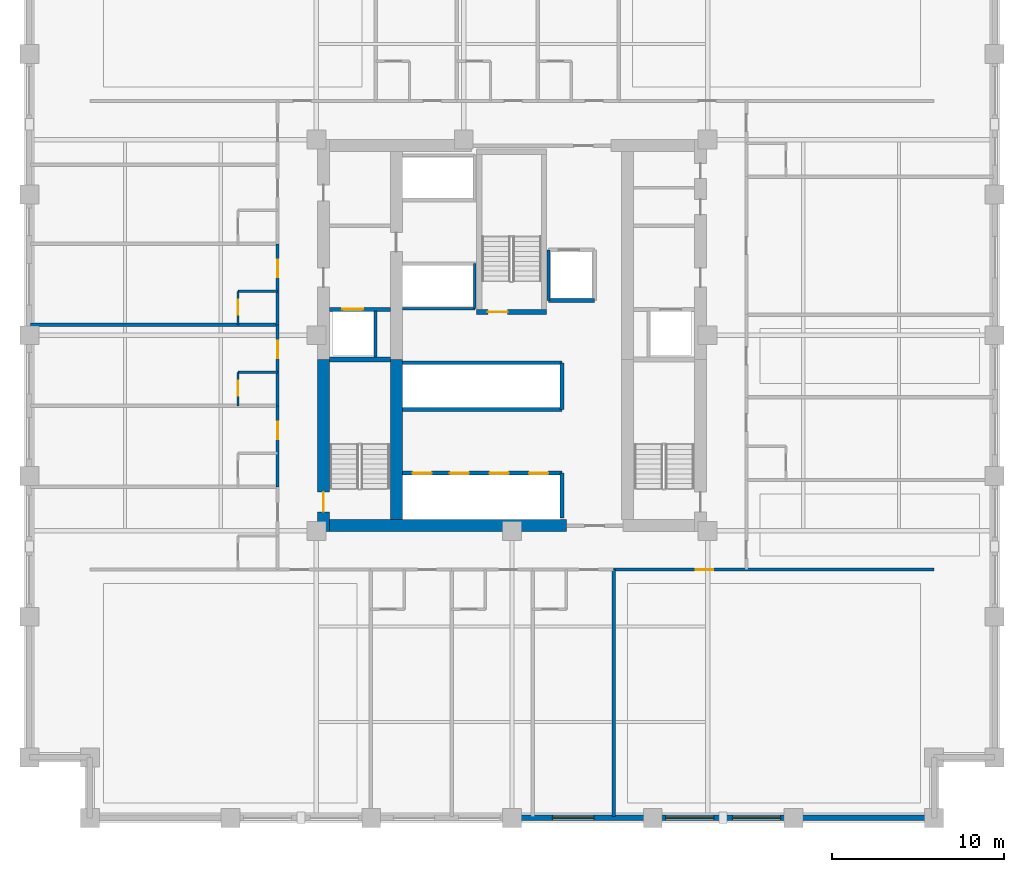
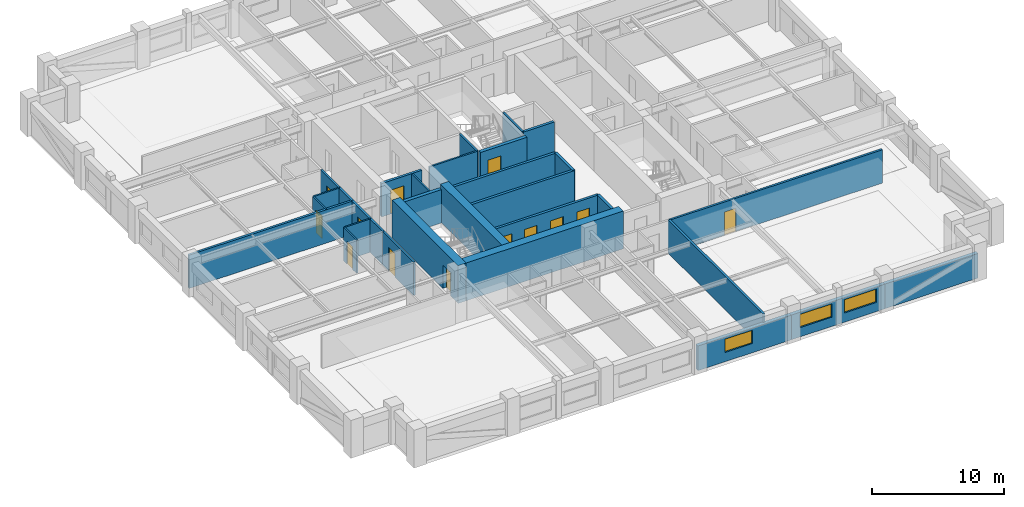
# One storey, part 3 of 12: 29 walls, 13 doors, 3 windows, 16 openings.
"""IFC4 building model written with IfcOpenShell, lengths in metres."""

from ifc_helpers import new_model, si_unit, direction, frame, frame_2d, origin, place, context, subcontext, project, spatial, rectangle, extrude, material, layer, layer_set, type_object, element, fill, save


model = new_model("IFC4")

# Units and contexts
model_context = context("Model", 3, precision=1e-05, world=origin(), true_north=direction((0.0, 1.0)))
body_context = subcontext(model_context, "Body", "Model", "MODEL_VIEW")
ifc_project = project(units=[si_unit("LENGTHUNIT", "METRE"), si_unit("AREAUNIT", "SQUARE_METRE"), si_unit("VOLUMEUNIT", "CUBIC_METRE"), si_unit("PLANEANGLEUNIT", "RADIAN"), si_unit("MASSUNIT", "GRAM", prefix="KILO")], contexts=[model_context])

# Site, building, storey
site_placement = place(None, origin())
site = spatial("IfcSite", under=ifc_project, at=site_placement, CompositionType="ELEMENT")
building_placement = place(site_placement, origin())
building = spatial("IfcBuilding", under=site, at=building_placement, Name="Nhamokura Convention Tower", CompositionType="ELEMENT")
storey_placement = place(building_placement, frame((0.0, 0.0, 38.85009765625)))
storey = spatial("IfcBuildingStorey", under=building, at=storey_placement, Name="L07", CompositionType="ELEMENT", Elevation=38.85009765625)

# Wall
ifc_material_1 = material(Name="Moisture-resistant tile-backer partition", Category="masonry")
ifc_layer_1 = layer(ifc_material_1, 0.139892578125)
ifc_layer_set_1 = layer_set([ifc_layer_1], Name="BathroomWetWall_140")
wall_type_1 = type_object("IfcWallType", Name="BathroomWetWall_140", PredefinedType="STANDARD", material=ifc_layer_set_1)
wall_1_placement = place(storey_placement, frame((16.10009765625, 29.85009765625, 0.0), z_axis=(0.0, 0.0, 1.0), x_axis=(1.0, 0.0, 0.0)))
element("IfcWall", 1, at=wall_1_placement, inside=storey, type_object=wall_type_1, Name="L07 Wall INT-L07-BW-W02N", PredefinedType="STANDARD", context=body_context, shape_type="SweptSolid", body=[
    extrude(rectangle(XDim=2.2998046875, YDim=0.139892578125, at=frame_2d((1.14990234375, 0.0))), origin(), (0.0, 0.0, 1.0), 3.079833984375),
])

# Wall, opening, door
wall_2_placement = place(storey_placement, frame((16.10009765625, 27.89990234375, 0.0), z_axis=(0.0, 0.0, 1.0), x_axis=(0.0, 1.0, 0.0)))
wall_2 = element("IfcWall", 2, at=wall_2_placement, inside=storey, type_object=wall_type_1, Name="L07 Wall INT-L07-BW-W02W", PredefinedType="STANDARD", context=body_context, shape_type="SweptSolid", body=[
    extrude(rectangle(XDim=1.9501953125, YDim=0.139892578125, at=frame_2d((0.97509765625, 0.0))), origin(), (0.0, 0.0, 1.0), 3.079833984375),
])
opening_1_placement = place(wall_2_placement, frame((0.580078125, 0.0, 0.0)))
opening_1 = element("IfcOpeningElement", 3, at=opening_1_placement, cuts=wall_2, Name="Opening D-11", PredefinedType="OPENING", context=body_context, shape_type="SweptSolid", body=[
    extrude(rectangle(XDim=0.8798828125, YDim=2.10009765625, at=frame_2d((0.43994140625, 1.050048828125))), frame((0.0, 0.079833984375, 0.0), z_axis=(0.0, -1.0, 0.0), x_axis=(1.0, 0.0, 0.0)), (0.0, 0.0, 1.0), 0.159912109375),
])
ifc_material_2 = material(Name="Solid oak hardwood", Category="wood")
door_type_1 = type_object("IfcDoorType", Name="BathroomDoor_880", OperationType="NOTDEFINED", PredefinedType="DOOR", material=ifc_material_2)
door_1_placement = place(opening_1_placement, origin())
door_1 = element("IfcDoor", 4, at=door_1_placement, inside=storey, type_object=door_type_1, Name="L07 Guest Room En-suite Door", OperationType="SINGLE_SWING_RIGHT", OverallHeight=2.10009765625, OverallWidth=0.8798828125, PredefinedType="DOOR", context=body_context, shape_type="SweptSolid", body=[
    extrude(rectangle(XDim=0.8798828125, YDim=2.10009765625, at=frame_2d((0.43994140625, 1.050048828125))), frame((0.0, 0.02490234375, 0.0), z_axis=(0.0, -1.0, 0.0), x_axis=(1.0, 0.0, 0.0)), (0.0, 0.0, 1.0), 0.050048828125),
])
fill(opening_1, door_1)

# Wall
wall_3_placement = place(storey_placement, frame((16.10009765625, 34.550048828125, 0.0), z_axis=(0.0, 0.0, 1.0), x_axis=(1.0, 0.0, 0.0)))
element("IfcWall", 5, at=wall_3_placement, inside=storey, type_object=wall_type_1, Name="L07 Wall INT-L07-BW-W03N", PredefinedType="STANDARD", context=body_context, shape_type="SweptSolid", body=[
    extrude(rectangle(XDim=2.2998046875, YDim=0.139892578125, at=frame_2d((1.14990234375, 0.0))), origin(), (0.0, 0.0, 1.0), 3.079833984375),
])

# Wall, opening, door
wall_4_placement = place(storey_placement, frame((16.10009765625, 32.60009765625, 0.0), z_axis=(0.0, 0.0, 1.0), x_axis=(0.0, 1.0, 0.0)))
wall_4 = element("IfcWall", 6, at=wall_4_placement, inside=storey, type_object=wall_type_1, Name="L07 Wall INT-L07-BW-W03W", PredefinedType="STANDARD", context=body_context, shape_type="SweptSolid", body=[
    extrude(rectangle(XDim=1.949951171875, YDim=0.139892578125, at=frame_2d((0.97509765625, 0.0))), origin(), (0.0, 0.0, 1.0), 3.079833984375),
])
opening_2_placement = place(wall_4_placement, frame((0.580078125, 0.0, 0.0)))
opening_2 = element("IfcOpeningElement", 7, at=opening_2_placement, cuts=wall_4, Name="Opening D-11", PredefinedType="OPENING", context=body_context, shape_type="SweptSolid", body=[
    extrude(rectangle(XDim=0.8798828125, YDim=2.10009765625, at=frame_2d((0.43994140625, 1.050048828125))), frame((0.0, 0.079833984375, 0.0), z_axis=(0.0, -1.0, 0.0), x_axis=(1.0, 0.0, 0.0)), (0.0, 0.0, 1.0), 0.159912109375),
])
door_2_placement = place(opening_2_placement, origin())
door_2 = element("IfcDoor", 8, at=door_2_placement, inside=storey, type_object=door_type_1, Name="L07 Club Room En-suite Door", OperationType="SINGLE_SWING_RIGHT", OverallHeight=2.10009765625, OverallWidth=0.8798828125, PredefinedType="DOOR", context=body_context, shape_type="SweptSolid", body=[
    extrude(rectangle(XDim=0.8798828125, YDim=2.10009765625, at=frame_2d((0.43994140625, 1.050048828125))), frame((0.0, 0.02490234375, 0.0), z_axis=(0.0, -1.0, 0.0), x_axis=(1.0, 0.0, 0.0)), (0.0, 0.0, 1.0), 0.050048828125),
])
fill(opening_2, door_2)

# Wall, opening, window
ifc_material_3 = material(Name="Bronze-pigmented precast concrete C45/55", Category="concrete")
ifc_layer_2 = layer(ifc_material_3, 0.320068359375)
ifc_layer_set_2 = layer_set([ifc_layer_2], Name="BronzePrecastSpandrel_320")
wall_type_2 = type_object("IfcWallType", Name="BronzePrecastSpandrel_320", PredefinedType="USERDEFINED", material=ifc_layer_set_2)
wall_5_placement = place(storey_placement, frame((40.166748046875, 4.0, 0.0), z_axis=(0.0, 0.0, 1.0), x_axis=(-1.0, 0.0, 0.0)))
wall_5 = element("IfcWall", 9, at=wall_5_placement, inside=storey, type_object=wall_type_2, Name="L07 Masonry-Frame Wall SOUTH 3", ObjectType="SPANDREL_WALL", PredefinedType="USERDEFINED", context=body_context, shape_type="SweptSolid", body=[
    extrude(rectangle(XDim=8.166748046875, YDim=0.320068359375, at=frame_2d((4.08349609375, 0.0))), origin(), (0.0, 0.0, 1.0), 2.27978515625),
])
opening_3_placement = place(wall_5_placement, frame((3.416748046875, 0.0, 0.85009765625)))
opening_3 = element("IfcOpeningElement", 10, at=opening_3_placement, cuts=wall_5, Name="Opening W-03", PredefinedType="OPENING", context=body_context, shape_type="SweptSolid", body=[
    extrude(rectangle(XDim=2.39990234375, YDim=1.22998046875, at=frame_2d((1.199951171875, 0.614990234375))), frame((0.0, 0.169921875, 0.0), z_axis=(0.0, -1.0, 0.0), x_axis=(1.0, 0.0, 0.0)), (0.0, 0.0, 1.0), 0.340087890625),
])
ifc_material_4 = material(Name="Solar-control bronze low-E double glass", Category="glass")
window_type_1 = type_object("IfcWindowType", Name="HotelBayWindow_2400", PartitioningType="DOUBLE_PANEL_VERTICAL", PredefinedType="WINDOW", material=ifc_material_4)
window_1_placement = place(opening_3_placement, origin())
window_1 = element("IfcWindow", 11, at=window_1_placement, inside=storey, type_object=window_type_1, Name="L07 Facade Window SOUTH 3-2", OverallHeight=1.22998046875, OverallWidth=2.39990234375, PartitioningType="SINGLE_PANEL", PredefinedType="WINDOW", context=body_context, shape_type="SweptSolid", body=[
    extrude(rectangle(XDim=2.39990234375, YDim=1.22998046875, at=frame_2d((1.199951171875, 0.614990234375))), frame((0.0, 0.030029296875, 0.0), z_axis=(0.0, -1.0, 0.0), x_axis=(1.0, 0.0, 0.0)), (0.0, 0.0, 1.0), 0.06005859375),
])
fill(opening_3, window_1)

# Wall, openings, windows
wall_6_placement = place(storey_placement, frame((48.333251953125, 4.0, 0.0), z_axis=(0.0, 0.0, 1.0), x_axis=(-1.0, 0.0, 0.0)))
wall_6 = element("IfcWall", 12, at=wall_6_placement, inside=storey, type_object=wall_type_2, Name="L07 Masonry-Frame Wall SOUTH 4", ObjectType="SPANDREL_WALL", PredefinedType="USERDEFINED", context=body_context, shape_type="SweptSolid", body=[
    extrude(rectangle(XDim=8.16650390625, YDim=0.320068359375, at=frame_2d((4.083251953125, 0.0))), origin(), (0.0, 0.0, 1.0), 2.27978515625),
])
opening_4_placement = place(wall_6_placement, frame((0.74169921875, 0.0, 0.85009765625)))
opening_4 = element("IfcOpeningElement", 13, at=opening_4_placement, cuts=wall_6, Name="Opening W-04", PredefinedType="OPENING", context=body_context, shape_type="SweptSolid", body=[
    extrude(rectangle(XDim=2.800048828125, YDim=1.22998046875, at=frame_2d((1.39990234375, 0.614990234375))), frame((0.0, 0.169921875, 0.0), z_axis=(0.0, -1.0, 0.0), x_axis=(1.0, 0.0, 0.0)), (0.0, 0.0, 1.0), 0.340087890625),
])
opening_5_placement = place(wall_6_placement, frame((4.625, 0.0, 0.85009765625)))
opening_5 = element("IfcOpeningElement", 14, at=opening_5_placement, cuts=wall_6, Name="Opening W-04", PredefinedType="OPENING", context=body_context, shape_type="SweptSolid", body=[
    extrude(rectangle(XDim=2.800048828125, YDim=1.22998046875, at=frame_2d((1.39990234375, 0.614990234375))), frame((0.0, 0.169921875, 0.0), z_axis=(0.0, -1.0, 0.0), x_axis=(1.0, 0.0, 0.0)), (0.0, 0.0, 1.0), 0.340087890625),
])
ifc_material_5 = material(Name="Solar-control bronze low-E double glass", Category="glass")
window_type_2 = type_object("IfcWindowType", Name="HotelSuiteWindow_2800", PartitioningType="DOUBLE_PANEL_VERTICAL", PredefinedType="WINDOW", material=ifc_material_5)
window_2_placement = place(opening_4_placement, origin())
window_2 = element("IfcWindow", 15, at=window_2_placement, inside=storey, type_object=window_type_2, Name="L07 Facade Window SOUTH 4-1", OverallHeight=1.22998046875, OverallWidth=2.800048828125, PartitioningType="SINGLE_PANEL", PredefinedType="WINDOW", context=body_context, shape_type="SweptSolid", body=[
    extrude(rectangle(XDim=2.800048828125, YDim=1.22998046875, at=frame_2d((1.39990234375, 0.614990234375))), frame((0.0, 0.030029296875, 0.0), z_axis=(0.0, -1.0, 0.0), x_axis=(1.0, 0.0, 0.0)), (0.0, 0.0, 1.0), 0.06005859375),
])
fill(opening_4, window_2)
window_3_placement = place(opening_5_placement, origin())
window_3 = element("IfcWindow", 16, at=window_3_placement, inside=storey, type_object=window_type_2, Name="L07 Facade Window SOUTH 4-2", OverallHeight=1.22998046875, OverallWidth=2.800048828125, PartitioningType="SINGLE_PANEL", PredefinedType="WINDOW", context=body_context, shape_type="SweptSolid", body=[
    extrude(rectangle(XDim=2.800048828125, YDim=1.22998046875, at=frame_2d((1.39990234375, 0.614990234375))), frame((0.0, 0.030029296875, 0.0), z_axis=(0.0, -1.0, 0.0), x_axis=(1.0, 0.0, 0.0)), (0.0, 0.0, 1.0), 0.06005859375),
])
fill(opening_5, window_3)

# Wall
wall_7_placement = place(storey_placement, frame((56.5, 4.0, 0.0), z_axis=(0.0, 0.0, 1.0), x_axis=(-1.0, 0.0, 0.0)))
element("IfcWall", 17, at=wall_7_placement, inside=storey, type_object=wall_type_2, Name="L07 Braced-Bay Precast Wall SOUTH 5", ObjectType="SPANDREL_WALL", PredefinedType="USERDEFINED", context=body_context, shape_type="SweptSolid", body=[
    extrude(rectangle(XDim=8.166748046875, YDim=0.320068359375, at=frame_2d((4.08349609375, 0.0))), origin(), (0.0, 0.0, 1.0), 2.27978515625),
])

# Wall, opening, door
ifc_material_6 = material(Name="Concrete C70/85", Category="concrete")
ifc_layer_3 = layer(ifc_material_6, 0.699951171875)
ifc_layer_set_3 = layer_set([ifc_layer_3], Name="CoreShearWall_700")
wall_type_3 = type_object("IfcWallType", Name="CoreShearWall_700", PredefinedType="SHEAR", material=ifc_layer_set_3)
wall_8_placement = place(storey_placement, frame((21.06005859375, 20.60009765625, 0.0), z_axis=(0.0, 0.0, 1.0), x_axis=(0.0, 1.0, 0.0)))
wall_8 = element("IfcWall", 18, at=wall_8_placement, inside=storey, type_object=wall_type_3, Name="L07 Core Shear Wall CW-WS", PredefinedType="SHEAR", context=body_context, shape_type="SweptSolid", body=[
    extrude(rectangle(XDim=10.0, YDim=0.699951171875, at=frame_2d((5.0, 0.0))), origin(), (0.0, 0.0, 1.0), 3.5),
])
opening_6_placement = place(wall_8_placement, frame((1.14990234375, 0.0, 0.0)))
opening_6 = element("IfcOpeningElement", 19, at=opening_6_placement, cuts=wall_8, Name="Opening D-04", PredefinedType="OPENING", context=body_context, shape_type="SweptSolid", body=[
    extrude(rectangle(XDim=1.14990234375, YDim=2.14990234375, at=frame_2d((0.574951171875, 1.074951171875))), frame((0.0, 0.35986328125, 0.0), z_axis=(0.0, -1.0, 0.0), x_axis=(1.0, 0.0, 0.0)), (0.0, 0.0, 1.0), 0.719970703125),
])
ifc_material_7 = material(Name="Fire-rated steel door", Category="steel")
door_type_2 = type_object("IfcDoorType", Name="StairSmokeDoor_1150", OperationType="NOTDEFINED", PredefinedType="DOOR", material=ifc_material_7)
door_3_placement = place(opening_6_placement, origin())
door_3 = element("IfcDoor", 20, at=door_3_placement, inside=storey, type_object=door_type_2, Name="L07 Core Door INT-L07-D-ST01", OperationType="SINGLE_SWING_LEFT", OverallHeight=2.14990234375, OverallWidth=1.14990234375, PredefinedType="DOOR", context=body_context, shape_type="SweptSolid", body=[
    extrude(rectangle(XDim=1.14990234375, YDim=2.14990234375, at=frame_2d((0.574951171875, 1.074951171875))), frame((0.0, 0.02490234375, 0.0), z_axis=(0.0, -1.0, 0.0), x_axis=(1.0, 0.0, 0.0)), (0.0, 0.0, 1.0), 0.050048828125),
])
fill(opening_6, door_3)

# Walls
wall_9_placement = place(storey_placement, frame((21.409912109375, 20.949951171875, 0.0), z_axis=(0.0, 0.0, 1.0), x_axis=(1.0, 0.0, 0.0)))
element("IfcWall", 21, at=wall_9_placement, inside=storey, type_object=wall_type_3, Name="L07 Core Shear Wall CW-S1", PredefinedType="SHEAR", context=body_context, shape_type="SweptSolid", body=[
    extrude(rectangle(XDim=13.739990234375, YDim=0.699951171875, at=frame_2d((6.8701171875, 0.0))), origin(), (0.0, 0.0, 1.0), 3.5),
])
wall_10_placement = place(storey_placement, frame((25.2900390625, 21.300048828125, 0.0), z_axis=(0.0, 0.0, 1.0), x_axis=(0.0, 1.0, 0.0)))
element("IfcWall", 22, at=wall_10_placement, inside=storey, type_object=wall_type_3, Name="L07 Core Shear Wall CW-IWS", PredefinedType="SHEAR", context=body_context, shape_type="SweptSolid", body=[
    extrude(rectangle(XDim=9.300048828125, YDim=0.699951171875, at=frame_2d((4.64990234375, 0.0))), origin(), (0.0, 0.0, 1.0), 3.5),
])

# Wall, opening, door
ifc_material_8 = material(Name="Fire-rated gypsum and masonry partition", Category="masonry")
ifc_layer_4 = layer(ifc_material_8, 0.179931640625)
ifc_layer_set_4 = layer_set([ifc_layer_4], Name="CorridorRatedWall_180")
wall_type_4 = type_object("IfcWallType", Name="CorridorRatedWall_180", PredefinedType="STANDARD", material=ifc_layer_set_4)
wall_11_placement = place(storey_placement, frame((37.89990234375, 18.39990234375, 0.0), z_axis=(0.0, 0.0, 1.0), x_axis=(1.0, 0.0, 0.0)))
wall_11 = element("IfcWall", 23, at=wall_11_placement, inside=storey, type_object=wall_type_4, Name="L07 Wall INT-L07-CW-S04", PredefinedType="STANDARD", context=body_context, shape_type="SweptSolid", body=[
    extrude(rectangle(XDim=18.60009765625, YDim=0.179931640625, at=frame_2d((9.300048828125, 0.0))), origin(), (0.0, 0.0, 1.0), 3.079833984375),
])
opening_7_placement = place(wall_11_placement, frame((4.77490234375, 0.0, 0.0)))
opening_7 = element("IfcOpeningElement", 24, at=opening_7_placement, cuts=wall_11, Name="Opening D-07", PredefinedType="OPENING", context=body_context, shape_type="SweptSolid", body=[
    extrude(rectangle(XDim=1.0, YDim=2.14990234375, at=frame_2d((0.5, 1.074951171875))), frame((0.0, 0.099853515625, 0.0), z_axis=(0.0, -1.0, 0.0), x_axis=(1.0, 0.0, 0.0)), (0.0, 0.0, 1.0), 0.199951171875),
])
ifc_material_9 = material(Name="Solid oak hardwood", Category="wood")
door_type_3 = type_object("IfcDoorType", Name="HotelSuiteEntryDoor_1000", OperationType="NOTDEFINED", PredefinedType="DOOR", material=ifc_material_9)
door_4_placement = place(opening_7_placement, origin())
door_4 = element("IfcDoor", 25, at=door_4_placement, inside=storey, type_object=door_type_3, Name="L07 Conference Salon S05 Door", OperationType="SINGLE_SWING_LEFT", OverallHeight=2.14990234375, OverallWidth=1.0, PredefinedType="DOOR", context=body_context, shape_type="SweptSolid", body=[
    extrude(rectangle(XDim=1.0, YDim=2.14990234375, at=frame_2d((0.5, 1.074951171875))), frame((0.0, 0.02490234375, 0.0), z_axis=(0.0, -1.0, 0.0), x_axis=(1.0, 0.0, 0.0)), (0.0, 0.0, 1.0), 0.050048828125),
])
fill(opening_7, door_4)

wall_12_placement = place(storey_placement, frame((18.39990234375, 23.199951171875, 0.0), z_axis=(0.0, 0.0, 1.0), x_axis=(0.0, 1.0, 0.0)))
wall_12 = element("IfcWall", 26, at=wall_12_placement, inside=storey, type_object=wall_type_4, Name="L07 Wall INT-L07-CW-W01", PredefinedType="STANDARD", context=body_context, shape_type="SweptSolid", body=[
    extrude(rectangle(XDim=4.699951171875, YDim=0.179931640625, at=frame_2d((2.35009765625, 0.0))), origin(), (0.0, 0.0, 1.0), 3.079833984375),
])
opening_8_placement = place(wall_12_placement, frame((2.77490234375, 0.0, 0.0)))
opening_8 = element("IfcOpeningElement", 27, at=opening_8_placement, cuts=wall_12, Name="Opening D-07", PredefinedType="OPENING", context=body_context, shape_type="SweptSolid", body=[
    extrude(rectangle(XDim=1.0, YDim=2.14990234375, at=frame_2d((0.5, 1.074951171875))), frame((0.0, 0.099853515625, 0.0), z_axis=(0.0, -1.0, 0.0), x_axis=(1.0, 0.0, 0.0)), (0.0, 0.0, 1.0), 0.199951171875),
])
door_5_placement = place(opening_8_placement, origin())
door_5 = element("IfcDoor", 28, at=door_5_placement, inside=storey, type_object=door_type_3, Name="L07 Club Room W02 Door", OperationType="SINGLE_SWING_RIGHT", OverallHeight=2.14990234375, OverallWidth=1.0, PredefinedType="DOOR", context=body_context, shape_type="SweptSolid", body=[
    extrude(rectangle(XDim=1.0, YDim=2.14990234375, at=frame_2d((0.5, 1.074951171875))), frame((0.0, 0.02490234375, 0.0), z_axis=(0.0, -1.0, 0.0), x_axis=(1.0, 0.0, 0.0)), (0.0, 0.0, 1.0), 0.050048828125),
])
fill(opening_8, door_5)

wall_13_placement = place(storey_placement, frame((18.39990234375, 27.89990234375, 0.0), z_axis=(0.0, 0.0, 1.0), x_axis=(0.0, 1.0, 0.0)))
wall_13 = element("IfcWall", 29, at=wall_13_placement, inside=storey, type_object=wall_type_4, Name="L07 Wall INT-L07-CW-W02", PredefinedType="STANDARD", context=body_context, shape_type="SweptSolid", body=[
    extrude(rectangle(XDim=4.7001953125, YDim=0.179931640625, at=frame_2d((2.35009765625, 0.0))), origin(), (0.0, 0.0, 1.0), 3.079833984375),
])
opening_9_placement = place(wall_13_placement, frame((2.77490234375, 0.0, 0.0)))
opening_9 = element("IfcOpeningElement", 30, at=opening_9_placement, cuts=wall_13, Name="Opening D-07", PredefinedType="OPENING", context=body_context, shape_type="SweptSolid", body=[
    extrude(rectangle(XDim=1.0, YDim=2.14990234375, at=frame_2d((0.5, 1.074951171875))), frame((0.0, 0.099853515625, 0.0), z_axis=(0.0, -1.0, 0.0), x_axis=(1.0, 0.0, 0.0)), (0.0, 0.0, 1.0), 0.199951171875),
])
door_6_placement = place(opening_9_placement, origin())
door_6 = element("IfcDoor", 31, at=door_6_placement, inside=storey, type_object=door_type_3, Name="L07 Guest Room W03 Door", OperationType="SINGLE_SWING_LEFT", OverallHeight=2.14990234375, OverallWidth=1.0, PredefinedType="DOOR", context=body_context, shape_type="SweptSolid", body=[
    extrude(rectangle(XDim=1.0, YDim=2.14990234375, at=frame_2d((0.5, 1.074951171875))), frame((0.0, 0.02490234375, 0.0), z_axis=(0.0, -1.0, 0.0), x_axis=(1.0, 0.0, 0.0)), (0.0, 0.0, 1.0), 0.050048828125),
])
fill(opening_9, door_6)

wall_14_placement = place(storey_placement, frame((18.39990234375, 32.60009765625, 0.0), z_axis=(0.0, 0.0, 1.0), x_axis=(0.0, 1.0, 0.0)))
wall_14 = element("IfcWall", 32, at=wall_14_placement, inside=storey, type_object=wall_type_4, Name="L07 Wall INT-L07-CW-W03", PredefinedType="STANDARD", context=body_context, shape_type="SweptSolid", body=[
    extrude(rectangle(XDim=4.699951171875, YDim=0.179931640625, at=frame_2d((2.35009765625, 0.0))), origin(), (0.0, 0.0, 1.0), 3.079833984375),
])
opening_10_placement = place(wall_14_placement, frame((2.77490234375, 0.0, 0.0)))
opening_10 = element("IfcOpeningElement", 33, at=opening_10_placement, cuts=wall_14, Name="Opening D-07", PredefinedType="OPENING", context=body_context, shape_type="SweptSolid", body=[
    extrude(rectangle(XDim=1.0, YDim=2.14990234375, at=frame_2d((0.5, 1.074951171875))), frame((0.0, 0.099853515625, 0.0), z_axis=(0.0, -1.0, 0.0), x_axis=(1.0, 0.0, 0.0)), (0.0, 0.0, 1.0), 0.199951171875),
])
door_7_placement = place(opening_10_placement, origin())
door_7 = element("IfcDoor", 34, at=door_7_placement, inside=storey, type_object=door_type_3, Name="L07 Club Room W04 Door", OperationType="SINGLE_SWING_RIGHT", OverallHeight=2.14990234375, OverallWidth=1.0, PredefinedType="DOOR", context=body_context, shape_type="SweptSolid", body=[
    extrude(rectangle(XDim=1.0, YDim=2.14990234375, at=frame_2d((0.5, 1.074951171875))), frame((0.0, 0.02490234375, 0.0), z_axis=(0.0, -1.0, 0.0), x_axis=(1.0, 0.0, 0.0)), (0.0, 0.0, 1.0), 0.050048828125),
])
fill(opening_10, door_7)

ifc_material_10 = material(Name="Autoclaved concrete blockwork", Category="masonry")
ifc_layer_5 = layer(ifc_material_10, 0.219970703125)
ifc_layer_set_5 = layer_set([ifc_layer_5], Name="FireLobbyWall_220")
wall_type_5 = type_object("IfcWallType", Name="FireLobbyWall_220", PredefinedType="STANDARD", material=ifc_layer_set_5)
wall_15_placement = place(storey_placement, frame((21.409912109375, 33.5, 0.0), z_axis=(0.0, 0.0, 1.0), x_axis=(1.0, 0.0, 0.0)))
wall_15 = element("IfcWall", 35, at=wall_15_placement, inside=storey, type_object=wall_type_5, Name="L07 Wall INT-L07-FFW-S", PredefinedType="STANDARD", context=body_context, shape_type="SweptSolid", body=[
    extrude(rectangle(XDim=3.530029296875, YDim=0.219970703125, at=frame_2d((1.76513671875, 0.0))), origin(), (0.0, 0.0, 1.0), 3.079833984375),
])
opening_11_placement = place(wall_15_placement, frame((0.75, 0.0, 0.0)))
opening_11 = element("IfcOpeningElement", 36, at=opening_11_placement, cuts=wall_15, Name="Opening LD-02", PredefinedType="OPENING", context=body_context, shape_type="SweptSolid", body=[
    extrude(rectangle(XDim=1.199951171875, YDim=2.199951171875, at=frame_2d((0.60009765625, 1.10009765625))), frame((0.0, 0.119873046875, 0.0), z_axis=(0.0, -1.0, 0.0), x_axis=(1.0, 0.0, 0.0)), (0.0, 0.0, 1.0), 0.239990234375),
])
ifc_material_11 = material(Name="Anodised bronze stainless steel", Category="steel")
door_type_4 = type_object("IfcDoorType", Name="LiftLandingDoor_FireService", OperationType="DOUBLE_DOOR_SLIDING", PredefinedType="DOOR", material=ifc_material_11)
door_8_placement = place(opening_11_placement, origin())
door_8 = element("IfcDoor", 37, at=door_8_placement, inside=storey, type_object=door_type_4, Name="L07 Firefighting Lift LF-01 Door", OperationType="DOUBLE_DOOR_SLIDING", OverallHeight=2.199951171875, OverallWidth=1.199951171875, PredefinedType="DOOR", context=body_context, shape_type="SweptSolid", body=[
    extrude(rectangle(XDim=1.199951171875, YDim=2.199951171875, at=frame_2d((0.60009765625, 1.10009765625))), frame((0.0, 0.02490234375, 0.0), z_axis=(0.0, -1.0, 0.0), x_axis=(1.0, 0.0, 0.0)), (0.0, 0.0, 1.0), 0.050048828125),
])
fill(opening_11, door_8)

# Wall, openings, doors
wall_16_placement = place(storey_placement, frame((25.64990234375, 24.0, 0.0), z_axis=(0.0, 0.0, 1.0), x_axis=(1.0, 0.0, 0.0)))
wall_16 = element("IfcWall", 38, at=wall_16_placement, inside=storey, type_object=wall_type_5, Name="L07 Wall INT-L07-B1N", PredefinedType="STANDARD", context=body_context, shape_type="SweptSolid", body=[
    extrude(rectangle(XDim=9.25, YDim=0.219970703125, at=frame_2d((4.625, 0.0))), origin(), (0.0, 0.0, 1.0), 3.079833984375),
])
opening_12_placement = place(wall_16_placement, frame((0.580078125, 0.0, 0.0)))
opening_12 = element("IfcOpeningElement", 39, at=opening_12_placement, cuts=wall_16, Name="Opening LD-01", PredefinedType="OPENING", context=body_context, shape_type="SweptSolid", body=[
    extrude(rectangle(XDim=1.10009765625, YDim=2.14990234375, at=frame_2d((0.550048828125, 1.074951171875))), frame((0.0, 0.119873046875, 0.0), z_axis=(0.0, -1.0, 0.0), x_axis=(1.0, 0.0, 0.0)), (0.0, 0.0, 1.0), 0.239990234375),
])
opening_13_placement = place(wall_16_placement, frame((2.75, 0.0, 0.0)))
opening_13 = element("IfcOpeningElement", 40, at=opening_13_placement, cuts=wall_16, Name="Opening LD-01", PredefinedType="OPENING", context=body_context, shape_type="SweptSolid", body=[
    extrude(rectangle(XDim=1.10009765625, YDim=2.14990234375, at=frame_2d((0.550048828125, 1.074951171875))), frame((0.0, 0.119873046875, 0.0), z_axis=(0.0, -1.0, 0.0), x_axis=(1.0, 0.0, 0.0)), (0.0, 0.0, 1.0), 0.239990234375),
])
opening_14_placement = place(wall_16_placement, frame((5.050048828125, 0.0, 0.0)))
opening_14 = element("IfcOpeningElement", 41, at=opening_14_placement, cuts=wall_16, Name="Opening LD-01", PredefinedType="OPENING", context=body_context, shape_type="SweptSolid", body=[
    extrude(rectangle(XDim=1.10009765625, YDim=2.14990234375, at=frame_2d((0.550048828125, 1.074951171875))), frame((0.0, 0.119873046875, 0.0), z_axis=(0.0, -1.0, 0.0), x_axis=(1.0, 0.0, 0.0)), (0.0, 0.0, 1.0), 0.239990234375),
])
opening_15_placement = place(wall_16_placement, frame((7.35009765625, 0.0, 0.0)))
opening_15 = element("IfcOpeningElement", 42, at=opening_15_placement, cuts=wall_16, Name="Opening LD-01", PredefinedType="OPENING", context=body_context, shape_type="SweptSolid", body=[
    extrude(rectangle(XDim=1.10009765625, YDim=2.14990234375, at=frame_2d((0.550048828125, 1.074951171875))), frame((0.0, 0.119873046875, 0.0), z_axis=(0.0, -1.0, 0.0), x_axis=(1.0, 0.0, 0.0)), (0.0, 0.0, 1.0), 0.239990234375),
])
ifc_material_12 = material(Name="Anodised bronze stainless steel", Category="steel")
door_type_5 = type_object("IfcDoorType", Name="LiftLandingDoor_Passenger", OperationType="DOUBLE_DOOR_SLIDING", PredefinedType="DOOR", material=ifc_material_12)
door_9_placement = place(opening_12_placement, origin())
door_9 = element("IfcDoor", 43, at=door_9_placement, inside=storey, type_object=door_type_5, Name="L07 Lift LP-01 Landing Door", OperationType="DOUBLE_DOOR_SLIDING", OverallHeight=2.14990234375, OverallWidth=1.10009765625, PredefinedType="DOOR", context=body_context, shape_type="SweptSolid", body=[
    extrude(rectangle(XDim=1.10009765625, YDim=2.14990234375, at=frame_2d((0.550048828125, 1.074951171875))), frame((0.0, 0.02490234375, 0.0), z_axis=(0.0, -1.0, 0.0), x_axis=(1.0, 0.0, 0.0)), (0.0, 0.0, 1.0), 0.050048828125),
])
fill(opening_12, door_9)
door_10_placement = place(opening_13_placement, origin())
door_10 = element("IfcDoor", 44, at=door_10_placement, inside=storey, type_object=door_type_5, Name="L07 Lift LP-02 Landing Door", OperationType="DOUBLE_DOOR_SLIDING", OverallHeight=2.14990234375, OverallWidth=1.10009765625, PredefinedType="DOOR", context=body_context, shape_type="SweptSolid", body=[
    extrude(rectangle(XDim=1.10009765625, YDim=2.14990234375, at=frame_2d((0.550048828125, 1.074951171875))), frame((0.0, 0.02490234375, 0.0), z_axis=(0.0, -1.0, 0.0), x_axis=(1.0, 0.0, 0.0)), (0.0, 0.0, 1.0), 0.050048828125),
])
fill(opening_13, door_10)
door_11_placement = place(opening_14_placement, origin())
door_11 = element("IfcDoor", 45, at=door_11_placement, inside=storey, type_object=door_type_5, Name="L07 Lift LP-03 Landing Door", OperationType="DOUBLE_DOOR_SLIDING", OverallHeight=2.14990234375, OverallWidth=1.10009765625, PredefinedType="DOOR", context=body_context, shape_type="SweptSolid", body=[
    extrude(rectangle(XDim=1.10009765625, YDim=2.14990234375, at=frame_2d((0.550048828125, 1.074951171875))), frame((0.0, 0.02490234375, 0.0), z_axis=(0.0, -1.0, 0.0), x_axis=(1.0, 0.0, 0.0)), (0.0, 0.0, 1.0), 0.050048828125),
])
fill(opening_14, door_11)
door_12_placement = place(opening_15_placement, origin())
door_12 = element("IfcDoor", 46, at=door_12_placement, inside=storey, type_object=door_type_5, Name="L07 Lift LP-04 Landing Door", OperationType="DOUBLE_DOOR_SLIDING", OverallHeight=2.14990234375, OverallWidth=1.10009765625, PredefinedType="DOOR", context=body_context, shape_type="SweptSolid", body=[
    extrude(rectangle(XDim=1.10009765625, YDim=2.14990234375, at=frame_2d((0.550048828125, 1.074951171875))), frame((0.0, 0.02490234375, 0.0), z_axis=(0.0, -1.0, 0.0), x_axis=(1.0, 0.0, 0.0)), (0.0, 0.0, 1.0), 0.050048828125),
])
fill(opening_15, door_12)

# Walls
wall_17_placement = place(storey_placement, frame((34.89990234375, 21.39990234375, 0.0), z_axis=(0.0, 0.0, 1.0), x_axis=(0.0, 1.0, 0.0)))
element("IfcWall", 47, at=wall_17_placement, inside=storey, type_object=wall_type_5, Name="L07 Wall INT-L07-B1E", PredefinedType="STANDARD", context=body_context, shape_type="SweptSolid", body=[
    extrude(rectangle(XDim=2.60009765625, YDim=0.219970703125, at=frame_2d((1.300048828125, 0.0))), origin(), (0.0, 0.0, 1.0), 3.079833984375),
])
for number, where, z_axis, x_axis, name in (
    (48, (25.64990234375, 27.699951171875, 0.0), (0.0, 0.0, 1.0), (1.0, 0.0, 0.0), "L07 Wall INT-L07-B2S"),
    (49, (25.64990234375, 30.39990234375, 0.0), (0.0, 0.0, 1.0), (1.0, 0.0, 0.0), "L07 Wall INT-L07-B2N"),
):
    element("IfcWall", number, at=place(storey_placement, frame(where, z_axis=z_axis, x_axis=x_axis)), inside=storey, type_object=wall_type_5, Name=name, PredefinedType="STANDARD", context=body_context, shape_type="SweptSolid", body=[
        extrude(rectangle(XDim=9.25, YDim=0.219970703125, at=frame_2d((4.625, 0.0))), origin(), (0.0, 0.0, 1.0), 3.079833984375),
    ])
wall_18_placement = place(storey_placement, frame((34.89990234375, 27.699951171875, 0.0), z_axis=(0.0, 0.0, 1.0), x_axis=(0.0, 1.0, 0.0)))
element("IfcWall", 50, at=wall_18_placement, inside=storey, type_object=wall_type_5, Name="L07 Wall INT-L07-B2E", PredefinedType="STANDARD", context=body_context, shape_type="SweptSolid", body=[
    extrude(rectangle(XDim=2.699951171875, YDim=0.219970703125, at=frame_2d((1.35009765625, 0.0))), origin(), (0.0, 0.0, 1.0), 3.079833984375),
])
wall_19_placement = place(storey_placement, frame((34.1201171875, 34.02001953125, 0.0), z_axis=(0.0, 0.0, 1.0), x_axis=(1.0, 0.0, 0.0)))
element("IfcWall", 51, at=wall_19_placement, inside=storey, type_object=wall_type_5, Name="L07 Wall INT-L07-LSS", PredefinedType="STANDARD", context=body_context, shape_type="SweptSolid", body=[
    extrude(rectangle(XDim=2.679931640625, YDim=0.219970703125, at=frame_2d((1.33984375, 0.0))), origin(), (0.0, 0.0, 1.0), 3.079833984375),
])
ifc_material_13 = material(Name="Acoustic twin-stud gypsum partition", Category="masonry")
ifc_layer_6 = layer(ifc_material_13, 0.199951171875)
ifc_layer_set_6 = layer_set([ifc_layer_6], Name="HotelDemisingWall_200")
wall_type_6 = type_object("IfcWallType", Name="HotelDemisingWall_200", PredefinedType="STANDARD", material=ifc_layer_set_6)
for number, where, z_axis, x_axis, name in (
    (52, (37.89990234375, 4.06005859375, 0.0), (0.0, 0.0, 1.0), (0.0, 1.0, 0.0), "L07 Wall INT-L07-RW-S04"),
    (53, (4.06005859375, 32.60009765625, 0.0), (0.0, 0.0, 1.0), (1.0, 0.0, 0.0), "L07 Wall INT-L07-RW-W03"),
):
    element("IfcWall", number, at=place(storey_placement, frame(where, z_axis=z_axis, x_axis=x_axis)), inside=storey, type_object=wall_type_6, Name=name, PredefinedType="STANDARD", context=body_context, shape_type="SweptSolid", body=[
        extrude(rectangle(XDim=14.33984375, YDim=0.199951171875, at=frame_2d((7.169921875, 0.0))), origin(), (0.0, 0.0, 1.0), 3.079833984375),
    ])
ifc_material_14 = material(Name="Acoustic gypsum stud partition", Category="masonry")
ifc_layer_7 = layer(ifc_material_14, 0.14990234375)
ifc_layer_set_7 = layer_set([ifc_layer_7], Name="InteriorPartition_150")
wall_type_7 = type_object("IfcWallType", Name="InteriorPartition_150", PredefinedType="STANDARD", material=ifc_layer_set_7)
wall_20_placement = place(storey_placement, frame((24.080078125, 30.75, 0.0), z_axis=(0.0, 0.0, 1.0), x_axis=(0.0, 1.0, 0.0)))
element("IfcWall", 54, at=wall_20_placement, inside=storey, type_object=wall_type_7, Name="L07 Wall INT-L07-FF1-E", PredefinedType="STANDARD", context=body_context, shape_type="SweptSolid", body=[
    extrude(rectangle(XDim=2.64990234375, YDim=0.14990234375, at=frame_2d((1.324951171875, 0.0))), origin(), (0.0, 0.0, 1.0), 3.079833984375),
])
wall_21_placement = place(storey_placement, frame((25.64990234375, 33.550048828125, 0.0), z_axis=(0.0, 0.0, 1.0), x_axis=(1.0, 0.0, 0.0)))
element("IfcWall", 55, at=wall_21_placement, inside=storey, type_object=wall_type_7, Name="L07 Wall INT-L07-B3A-S", PredefinedType="STANDARD", context=body_context, shape_type="SweptSolid", body=[
    extrude(rectangle(XDim=4.2001953125, YDim=0.14990234375, at=frame_2d((2.10009765625, 0.0))), origin(), (0.0, 0.0, 1.0), 3.079833984375),
])
wall_22_placement = place(storey_placement, frame((29.85009765625, 33.550048828125, 0.0), z_axis=(0.0, 0.0, 1.0), x_axis=(0.0, 1.0, 0.0)))
element("IfcWall", 56, at=wall_22_placement, inside=storey, type_object=wall_type_7, Name="L07 Wall INT-L07-B3A-E", PredefinedType="STANDARD", context=body_context, shape_type="SweptSolid", body=[
    extrude(rectangle(XDim=2.599853515625, YDim=0.14990234375, at=frame_2d((1.2998046875, 0.0))), origin(), (0.0, 0.0, 1.0), 3.079833984375),
])
wall_23_placement = place(storey_placement, frame((34.1201171875, 34.02001953125, 0.0), z_axis=(0.0, 0.0, 1.0), x_axis=(0.0, 1.0, 0.0)))
element("IfcWall", 57, at=wall_23_placement, inside=storey, type_object=wall_type_7, Name="L07 Wall INT-L07-LSW", PredefinedType="STANDARD", context=body_context, shape_type="SweptSolid", body=[
    extrude(rectangle(XDim=2.929931640625, YDim=0.14990234375, at=frame_2d((1.46484375, 0.0))), origin(), (0.0, 0.0, 1.0), 3.079833984375),
])
ifc_material_15 = material(Name="Concrete C50/60", Category="concrete")
ifc_layer_8 = layer(ifc_material_15, 0.300048828125)
ifc_layer_set_8 = layer_set([ifc_layer_8], Name="ShaftEnclosureWall_300")
wall_type_8 = type_object("IfcWallType", Name="ShaftEnclosureWall_300", PredefinedType="SHEAR", material=ifc_layer_set_8)
wall_24_placement = place(storey_placement, frame((21.409912109375, 30.60009765625, 0.0), z_axis=(0.0, 0.0, 1.0), x_axis=(1.0, 0.0, 0.0)))
element("IfcWall", 58, at=wall_24_placement, inside=storey, type_object=wall_type_8, Name="L07 Wall INT-L07-ST01-N", PredefinedType="SHEAR", context=body_context, shape_type="SweptSolid", body=[
    extrude(rectangle(XDim=3.530029296875, YDim=0.300048828125, at=frame_2d((1.76513671875, 0.0))), origin(), (0.0, 0.0, 1.0), 3.079833984375),
])

# Wall, opening, door
wall_25_placement = place(storey_placement, frame((29.949951171875, 33.35009765625, 0.0), z_axis=(0.0, 0.0, 1.0), x_axis=(1.0, 0.0, 0.0)))
wall_25 = element("IfcWall", 59, at=wall_25_placement, inside=storey, type_object=wall_type_8, Name="L07 Wall INT-L07-ST03S", PredefinedType="SHEAR", context=body_context, shape_type="SweptSolid", body=[
    extrude(rectangle(XDim=4.050048828125, YDim=0.300048828125, at=frame_2d((2.02490234375, 0.0))), origin(), (0.0, 0.0, 1.0), 3.079833984375),
])
opening_16_placement = place(wall_25_placement, frame((0.64990234375, 0.0, 0.0)))
opening_16 = element("IfcOpeningElement", 60, at=opening_16_placement, cuts=wall_25, Name="Opening D-04", PredefinedType="OPENING", context=body_context, shape_type="SweptSolid", body=[
    extrude(rectangle(XDim=1.14990234375, YDim=2.14990234375, at=frame_2d((0.574951171875, 1.074951171875))), frame((0.0, 0.159912109375, 0.0), z_axis=(0.0, -1.0, 0.0), x_axis=(1.0, 0.0, 0.0)), (0.0, 0.0, 1.0), 0.320068359375),
])
door_13_placement = place(opening_16_placement, origin())
door_13 = element("IfcDoor", 61, at=door_13_placement, inside=storey, type_object=door_type_2, Name="L07 Stair ST-03 Smoke Door", OperationType="SINGLE_SWING_LEFT", OverallHeight=2.14990234375, OverallWidth=1.14990234375, PredefinedType="DOOR", context=body_context, shape_type="SweptSolid", body=[
    extrude(rectangle(XDim=1.14990234375, YDim=2.14990234375, at=frame_2d((0.574951171875, 1.074951171875))), frame((0.0, 0.02490234375, 0.0), z_axis=(0.0, -1.0, 0.0), x_axis=(1.0, 0.0, 0.0)), (0.0, 0.0, 1.0), 0.050048828125),
])
fill(opening_16, door_13)

save(model, "model.ifc")
